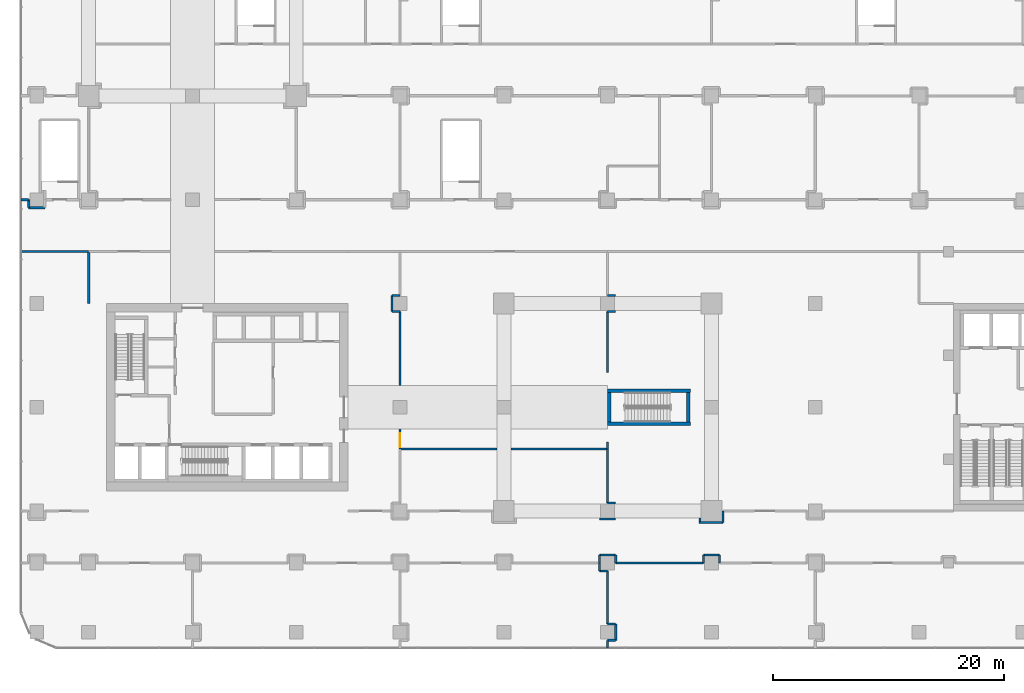
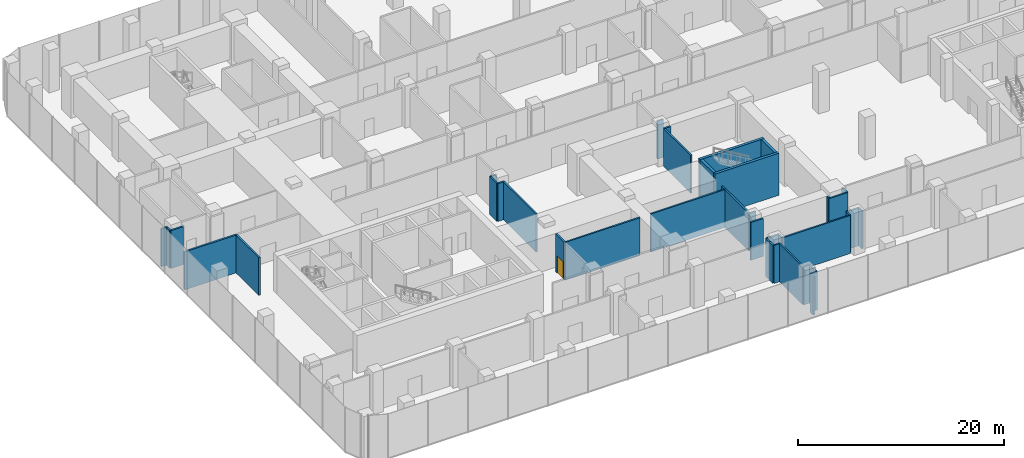
# One storey, part 25 of 36: 40 walls, 1 door, 1 opening.
"""IFC4 building model written with IfcOpenShell, lengths in metres."""

from ifc_helpers import new_model, si_unit, direction, frame, frame_2d, origin, place, context, subcontext, project, spatial, rectangle, extrude, material, layer, layer_set, type_object, element, fill, save


model = new_model("IFC4")

# Units and contexts
model_context = context("Model", 3, precision=1e-05, world=origin(), true_north=direction((0.0, 1.0)))
body_context = subcontext(model_context, "Body", "Model", "MODEL_VIEW")
ifc_project = project(units=[si_unit("LENGTHUNIT", "METRE"), si_unit("AREAUNIT", "SQUARE_METRE"), si_unit("VOLUMEUNIT", "CUBIC_METRE"), si_unit("PLANEANGLEUNIT", "RADIAN"), si_unit("MASSUNIT", "GRAM", prefix="KILO")], contexts=[model_context])

# Site, building, storey
site_placement = place(None, origin())
site = spatial("IfcSite", under=ifc_project, at=site_placement, CompositionType="ELEMENT")
building_placement = place(site_placement, origin())
building = spatial("IfcBuilding", under=site, at=building_placement, Name="Plateau Cross Towers", CompositionType="ELEMENT")
storey_placement = place(building_placement, frame((0.0, 0.0, 21.800048828125)))
storey = spatial("IfcBuildingStorey", under=building, at=storey_placement, Name="L04", CompositionType="ELEMENT", Elevation=21.800048828125)

# Walls
ifc_material_1 = material(Name="Dense masonry block, plastered, acoustic lining", Category="masonry")
ifc_layer_1 = layer(ifc_material_1, 0.179931640625)
ifc_layer_set_1 = layer_set([ifc_layer_1], Name="Dense masonry block, plastered, acoustic lining")
wall_type_1 = type_object("IfcWallType", Name="Plant room acoustic wall 180", PredefinedType="PARTITIONING", material=ifc_layer_set_1)
wall_1_placement = place(storey_placement, frame((53.0, -0.60009765625, 0.0), z_axis=(0.0, 0.0, 1.0), x_axis=(0.0, -1.0, 0.0)))
element("IfcWall", 1, at=wall_1_placement, inside=storey, type_object=wall_type_1, Name="Partition wall", PredefinedType="PARTITIONING", context=body_context, shape_type="SweptSolid", body=[
    extrude(rectangle(XDim=0.309814453125, YDim=0.179931640625, at=frame_2d((0.15478515625, 0.0))), origin(), (0.0, 0.0, 1.0), 4.5),
])
wall_2_placement = place(storey_placement, frame((52.909912109375, -1.0, 0.0), z_axis=(0.0, 0.0, 1.0), x_axis=(1.0, 0.0, 0.0)))
element("IfcWall", 2, at=wall_2_placement, inside=storey, type_object=wall_type_1, Name="Partition wall", PredefinedType="PARTITIONING", context=body_context, shape_type="SweptSolid", body=[
    extrude(rectangle(XDim=2.090087890625, YDim=0.179931640625, at=frame_2d((1.044921875, 0.0))), origin(), (0.0, 0.0, 1.0), 4.5),
])
wall_3_placement = place(storey_placement, frame((55.0, -1.0, 0.0), z_axis=(0.0, 0.0, 1.0), x_axis=(0.0, 1.0, 0.0)))
element("IfcWall", 3, at=wall_3_placement, inside=storey, type_object=wall_type_1, Name="Partition wall", PredefinedType="PARTITIONING", context=body_context, shape_type="SweptSolid", body=[
    extrude(rectangle(XDim=1.0, YDim=0.179931640625, at=frame_2d((0.5, 0.0))), origin(), (0.0, 0.0, 1.0), 4.5),
])
wall_4_placement = place(storey_placement, frame((44.300048828125, -0.699951171875, 0.0), z_axis=(0.0, 0.0, 1.0), x_axis=(1.0, 0.0, 0.0)))
element("IfcWall", 4, at=wall_4_placement, inside=storey, type_object=wall_type_1, Name="Partition wall", PredefinedType="PARTITIONING", context=body_context, shape_type="SweptSolid", body=[
    extrude(rectangle(XDim=1.39990234375, YDim=0.179931640625, at=frame_2d((0.699951171875, 0.0))), origin(), (0.0, 0.0, 1.0), 4.5),
])
wall_5_placement = place(storey_placement, frame((54.699951171875, -4.5, 0.0), z_axis=(0.0, 0.0, 1.0), x_axis=(0.0, 1.0, 0.0)))
element("IfcWall", 5, at=wall_5_placement, inside=storey, type_object=wall_type_1, Name="Partition wall", PredefinedType="PARTITIONING", context=body_context, shape_type="SweptSolid", body=[
    extrude(rectangle(XDim=0.699951171875, YDim=0.179931640625, at=frame_2d((0.35009765625, 0.0))), origin(), (0.0, 0.0, 1.0), 4.5),
])
wall_6_placement = place(storey_placement, frame((54.699951171875, -3.800048828125, 0.0), z_axis=(0.0, 0.0, 1.0), x_axis=(-1.0, 0.0, 0.0)))
element("IfcWall", 6, at=wall_6_placement, inside=storey, type_object=wall_type_1, Name="Partition wall", PredefinedType="PARTITIONING", context=body_context, shape_type="SweptSolid", body=[
    extrude(rectangle(XDim=1.39990234375, YDim=0.179931640625, at=frame_2d((0.699951171875, 0.0))), origin(), (0.0, 0.0, 1.0), 4.5),
])
wall_7_placement = place(storey_placement, frame((53.300048828125, -3.800048828125, 0.0), z_axis=(0.0, 0.0, 1.0), x_axis=(0.0, -1.0, 0.0)))
element("IfcWall", 7, at=wall_7_placement, inside=storey, type_object=wall_type_1, Name="Partition wall", PredefinedType="PARTITIONING", context=body_context, shape_type="SweptSolid", body=[
    extrude(rectangle(XDim=0.699951171875, YDim=0.179931640625, at=frame_2d((0.35009765625, 0.0))), origin(), (0.0, 0.0, 1.0), 4.5),
])
wall_8_placement = place(storey_placement, frame((53.300048828125, -4.5, 0.0), z_axis=(0.0, 0.0, 1.0), x_axis=(-1.0, 0.0, 0.0)))
element("IfcWall", 8, at=wall_8_placement, inside=storey, type_object=wall_type_1, Name="Partition wall", PredefinedType="PARTITIONING", context=body_context, shape_type="SweptSolid", body=[
    extrude(rectangle(XDim=7.60009765625, YDim=0.179931640625, at=frame_2d((3.800048828125, 0.0))), origin(), (0.0, 0.0, 1.0), 4.5),
])
wall_9_placement = place(storey_placement, frame((45.699951171875, -4.5, 0.0), z_axis=(0.0, 0.0, 1.0), x_axis=(0.0, 1.0, 0.0)))
element("IfcWall", 9, at=wall_9_placement, inside=storey, type_object=wall_type_1, Name="Partition wall", PredefinedType="PARTITIONING", context=body_context, shape_type="SweptSolid", body=[
    extrude(rectangle(XDim=0.699951171875, YDim=0.179931640625, at=frame_2d((0.35009765625, 0.0))), origin(), (0.0, 0.0, 1.0), 4.5),
])
wall_10_placement = place(storey_placement, frame((45.699951171875, -3.800048828125, 0.0), z_axis=(0.0, 0.0, 1.0), x_axis=(-1.0, 0.0, 0.0)))
element("IfcWall", 10, at=wall_10_placement, inside=storey, type_object=wall_type_1, Name="Partition wall", PredefinedType="PARTITIONING", context=body_context, shape_type="SweptSolid", body=[
    extrude(rectangle(XDim=1.39990234375, YDim=0.179931640625, at=frame_2d((0.699951171875, 0.0))), origin(), (0.0, 0.0, 1.0), 4.5),
])
wall_11_placement = place(storey_placement, frame((44.300048828125, -3.800048828125, 0.0), z_axis=(0.0, 0.0, 1.0), x_axis=(0.0, -1.0, 0.0)))
element("IfcWall", 11, at=wall_11_placement, inside=storey, type_object=wall_type_1, Name="Partition wall", PredefinedType="PARTITIONING", context=body_context, shape_type="SweptSolid", body=[
    extrude(rectangle(XDim=0.699951171875, YDim=0.179931640625, at=frame_2d((0.35009765625, 0.0))), origin(), (0.0, 0.0, 1.0), 4.5),
])
for number, where, z_axis, x_axis, name in (
    (12, (35.39990234375, 5.39990234375, 0.0), (0.0, 0.0, 1.0), (-1.0, 0.0, 0.0), "Partition wall"),
    (13, (45.0, 5.39990234375, 0.0), (0.0, 0.0, 1.0), (-1.0, 0.0, 0.0), "Partition wall"),
):
    element("IfcWall", number, at=place(storey_placement, frame(where, z_axis=z_axis, x_axis=x_axis)), inside=storey, type_object=wall_type_1, Name=name, PredefinedType="PARTITIONING", context=body_context, shape_type="SweptSolid", body=[
        extrude(rectangle(XDim=8.39990234375, YDim=0.179931640625, at=frame_2d((4.199951171875, 0.0))), origin(), (0.0, 0.0, 1.0), 4.5),
    ])
wall_12_placement = place(storey_placement, frame((27.0, 18.699951171875, 0.0), z_axis=(0.0, 0.0, 1.0), x_axis=(-1.0, 0.0, 0.0)))
element("IfcWall", 14, at=wall_12_placement, inside=storey, type_object=wall_type_1, Name="Partition wall", PredefinedType="PARTITIONING", context=body_context, shape_type="SweptSolid", body=[
    extrude(rectangle(XDim=0.699951171875, YDim=0.179931640625, at=frame_2d((0.35009765625, 0.0))), origin(), (0.0, 0.0, 1.0), 4.5),
])
wall_13_placement = place(storey_placement, frame((26.300048828125, 18.699951171875, 0.0), z_axis=(0.0, 0.0, 1.0), x_axis=(0.0, -1.0, 0.0)))
element("IfcWall", 15, at=wall_13_placement, inside=storey, type_object=wall_type_1, Name="Partition wall", PredefinedType="PARTITIONING", context=body_context, shape_type="SweptSolid", body=[
    extrude(rectangle(XDim=1.39990234375, YDim=0.179931640625, at=frame_2d((0.699951171875, 0.0))), origin(), (0.0, 0.0, 1.0), 4.5),
])
wall_14_placement = place(storey_placement, frame((26.300048828125, 17.300048828125, 0.0), z_axis=(0.0, 0.0, 1.0), x_axis=(1.0, 0.0, 0.0)))
element("IfcWall", 16, at=wall_14_placement, inside=storey, type_object=wall_type_1, Name="Partition wall", PredefinedType="PARTITIONING", context=body_context, shape_type="SweptSolid", body=[
    extrude(rectangle(XDim=0.699951171875, YDim=0.179931640625, at=frame_2d((0.35009765625, 0.0))), origin(), (0.0, 0.0, 1.0), 4.5),
])
wall_15_placement = place(storey_placement, frame((27.0, 17.300048828125, 0.0), z_axis=(0.0, 0.0, 1.0), x_axis=(0.0, -1.0, 0.0)))
element("IfcWall", 17, at=wall_15_placement, inside=storey, type_object=wall_type_1, Name="Partition wall", PredefinedType="PARTITIONING", context=body_context, shape_type="SweptSolid", body=[
    extrude(rectangle(XDim=6.400146484375, YDim=0.179931640625, at=frame_2d((3.2001953125, 0.0))), origin(), (0.0, 0.0, 1.0), 4.5),
])
for number, where, z_axis, x_axis, name in (
    (18, (45.0, 18.699951171875, 0.0), (0.0, 0.0, 1.0), (1.0, 0.0, 0.0), "Partition wall"),
    (19, (45.699951171875, 17.300048828125, 0.0), (0.0, 0.0, 1.0), (-1.0, 0.0, 0.0), "Partition wall"),
):
    element("IfcWall", number, at=place(storey_placement, frame(where, z_axis=z_axis, x_axis=x_axis)), inside=storey, type_object=wall_type_1, Name=name, PredefinedType="PARTITIONING", context=body_context, shape_type="SweptSolid", body=[
        extrude(rectangle(XDim=0.699951171875, YDim=0.179931640625, at=frame_2d((0.35009765625, 0.0))), origin(), (0.0, 0.0, 1.0), 4.5),
    ])
wall_16_placement = place(storey_placement, frame((45.0, 17.300048828125, 0.0), z_axis=(0.0, 0.0, 1.0), x_axis=(0.0, -1.0, 0.0)))
element("IfcWall", 20, at=wall_16_placement, inside=storey, type_object=wall_type_1, Name="Partition wall", PredefinedType="PARTITIONING", context=body_context, shape_type="SweptSolid", body=[
    extrude(rectangle(XDim=5.300048828125, YDim=0.179931640625, at=frame_2d((2.64990234375, 0.0))), origin(), (0.0, 0.0, 1.0), 4.5),
])
for number, where, z_axis, x_axis, name in (
    (21, (44.300048828125, -4.5, 0.0), (0.0, 0.0, 1.0), (0.0, -1.0, 0.0), "Partition wall"),
    (22, (44.300048828125, -5.199951171875, 0.0), (0.0, 0.0, 1.0), (1.0, 0.0, 0.0), "Partition wall"),
):
    element("IfcWall", number, at=place(storey_placement, frame(where, z_axis=z_axis, x_axis=x_axis)), inside=storey, type_object=wall_type_1, Name=name, PredefinedType="PARTITIONING", context=body_context, shape_type="SweptSolid", body=[
        extrude(rectangle(XDim=0.699951171875, YDim=0.179931640625, at=frame_2d((0.35009765625, 0.0))), origin(), (0.0, 0.0, 1.0), 4.5),
    ])
wall_17_placement = place(storey_placement, frame((45.0, -5.199951171875, 0.0), z_axis=(0.0, 0.0, 1.0), x_axis=(0.0, -1.0, 0.0)))
element("IfcWall", 23, at=wall_17_placement, inside=storey, type_object=wall_type_1, Name="Partition wall", PredefinedType="PARTITIONING", context=body_context, shape_type="SweptSolid", body=[
    extrude(rectangle(XDim=4.60009765625, YDim=0.179931640625, at=frame_2d((2.300048828125, 0.0))), origin(), (0.0, 0.0, 1.0), 4.5),
])
wall_18_placement = place(storey_placement, frame((45.0, -9.800048828125, 0.0), z_axis=(0.0, 0.0, 1.0), x_axis=(1.0, 0.0, 0.0)))
element("IfcWall", 24, at=wall_18_placement, inside=storey, type_object=wall_type_1, Name="Partition wall", PredefinedType="PARTITIONING", context=body_context, shape_type="SweptSolid", body=[
    extrude(rectangle(XDim=0.699951171875, YDim=0.179931640625, at=frame_2d((0.35009765625, 0.0))), origin(), (0.0, 0.0, 1.0), 4.5),
])
wall_19_placement = place(storey_placement, frame((45.699951171875, -9.800048828125, 0.0), z_axis=(0.0, 0.0, 1.0), x_axis=(0.0, -1.0, 0.0)))
element("IfcWall", 25, at=wall_19_placement, inside=storey, type_object=wall_type_1, Name="Partition wall", PredefinedType="PARTITIONING", context=body_context, shape_type="SweptSolid", body=[
    extrude(rectangle(XDim=1.39990234375, YDim=0.179931640625, at=frame_2d((0.699951171875, 0.0))), origin(), (0.0, 0.0, 1.0), 4.5),
])
wall_20_placement = place(storey_placement, frame((45.699951171875, -11.199951171875, 0.0), z_axis=(0.0, 0.0, 1.0), x_axis=(-1.0, 0.0, 0.0)))
element("IfcWall", 26, at=wall_20_placement, inside=storey, type_object=wall_type_1, Name="Partition wall", PredefinedType="PARTITIONING", context=body_context, shape_type="SweptSolid", body=[
    extrude(rectangle(XDim=0.699951171875, YDim=0.179931640625, at=frame_2d((0.35009765625, 0.0))), origin(), (0.0, 0.0, 1.0), 4.5),
])
wall_21_placement = place(storey_placement, frame((45.0, -11.199951171875, 0.0), z_axis=(0.0, 0.0, 1.0), x_axis=(0.0, -1.0, 0.0)))
element("IfcWall", 27, at=wall_21_placement, inside=storey, type_object=wall_type_1, Name="Partition wall", PredefinedType="PARTITIONING", context=body_context, shape_type="SweptSolid", body=[
    extrude(rectangle(XDim=0.650146484375, YDim=0.179931640625, at=frame_2d((0.3251953125, 0.0))), origin(), (0.0, 0.0, 1.0), 4.5),
])
wall_22_placement = place(storey_placement, frame((45.0, 5.39990234375, 0.0), z_axis=(0.0, 0.0, 1.0), x_axis=(0.0, -1.0, 0.0)))
element("IfcWall", 28, at=wall_22_placement, inside=storey, type_object=wall_type_1, Name="Partition wall", PredefinedType="PARTITIONING", context=body_context, shape_type="SweptSolid", body=[
    extrude(rectangle(XDim=4.699951171875, YDim=0.179931640625, at=frame_2d((2.35009765625, 0.0))), origin(), (0.0, 0.0, 1.0), 4.5),
])
wall_23_placement = place(storey_placement, frame((45.0, 0.699951171875, 0.0), z_axis=(0.0, 0.0, 1.0), x_axis=(1.0, 0.0, 0.0)))
element("IfcWall", 29, at=wall_23_placement, inside=storey, type_object=wall_type_1, Name="Partition wall", PredefinedType="PARTITIONING", context=body_context, shape_type="SweptSolid", body=[
    extrude(rectangle(XDim=0.699951171875, YDim=0.179931640625, at=frame_2d((0.35009765625, 0.0))), origin(), (0.0, 0.0, 1.0), 4.5),
])
wall_24_placement = place(storey_placement, frame((45.0, 6.0, 0.0), z_axis=(0.0, 0.0, 1.0), x_axis=(0.0, -1.0, 0.0)))
element("IfcWall", 30, at=wall_24_placement, inside=storey, type_object=wall_type_1, Name="Partition wall", PredefinedType="PARTITIONING", context=body_context, shape_type="SweptSolid", body=[
    extrude(rectangle(XDim=0.60009765625, YDim=0.179931640625, at=frame_2d((0.300048828125, 0.0))), origin(), (0.0, 0.0, 1.0), 4.5),
])

# Wall, opening, door
ifc_material_2 = material(Name="Gypsum board on steel studs, two layers each side", Category="steel")
ifc_layer_2 = layer(ifc_material_2, 0.199951171875)
ifc_layer_set_2 = layer_set([ifc_layer_2], Name="Gypsum board on steel studs, two layers each side")
wall_type_2 = type_object("IfcWallType", Name="Podium compartment wall 200", PredefinedType="PARTITIONING", material=ifc_layer_set_2)
wall_25_placement = place(storey_placement, frame((27.0, 7.10009765625, 0.0), z_axis=(0.0, 0.0, 1.0), x_axis=(0.0, -1.0, 0.0)))
wall_25 = element("IfcWall", 31, at=wall_25_placement, inside=storey, type_object=wall_type_2, Name="Partition wall", PredefinedType="PARTITIONING", context=body_context, shape_type="SweptSolid", body=[
    extrude(rectangle(XDim=1.7001953125, YDim=0.199951171875, at=frame_2d((0.85009765625, 0.0))), origin(), (0.0, 0.0, 1.0), 4.5),
])
opening_placement = place(wall_25_placement, frame((0.35009765625, 0.0, 0.0)))
opening = element("IfcOpeningElement", 32, at=opening_placement, cuts=wall_25, Name="Opening 04-38", PredefinedType="OPENING", context=body_context, shape_type="SweptSolid", body=[
    extrude(rectangle(XDim=1.199951171875, YDim=2.10009765625, at=frame_2d((0.60009765625, 1.050048828125))), frame((0.0, 0.10986328125, 0.0), z_axis=(0.0, -1.0, 0.0), x_axis=(1.0, 0.0, 0.0)), (0.0, 0.0, 1.0), 0.219970703125),
])
ifc_material_3 = material(Name="Timber, fire-resisting leaf", Category="wood")
door_type = type_object("IfcDoorType", Name="Podium fire door 1200", OperationType="NOTDEFINED", PredefinedType="DOOR", material=ifc_material_3)
door_placement = place(opening_placement, origin())
door = element("IfcDoor", 33, at=door_placement, inside=storey, type_object=door_type, Name="Door 04-38", OperationType="SINGLE_SWING_LEFT", OverallHeight=2.10009765625, OverallWidth=1.199951171875, PredefinedType="DOOR", context=body_context, shape_type="SweptSolid", body=[
    extrude(rectangle(XDim=1.199951171875, YDim=2.10009765625, at=frame_2d((0.60009765625, 1.050048828125))), frame((0.0, 0.02490234375, 0.0), z_axis=(0.0, -1.0, 0.0), x_axis=(1.0, 0.0, 0.0)), (0.0, 0.0, 1.0), 0.050048828125),
])
fill(opening, door)

# Walls
ifc_material_4 = material(Name="Gypsum board on steel studs", Category="steel")
ifc_layer_3 = layer(ifc_material_4, 0.199951171875)
ifc_layer_set_3 = layer_set([ifc_layer_3], Name="Gypsum board on steel studs")
wall_type_3 = type_object("IfcWallType", Name="Podium partition 200", PredefinedType="PARTITIONING", material=ifc_layer_set_3)
wall_26_placement = place(storey_placement, frame((0.0, 22.5, 0.0), z_axis=(0.0, 0.0, 1.0), x_axis=(-1.0, 0.0, 0.0)))
element("IfcWall", 34, at=wall_26_placement, inside=storey, type_object=wall_type_3, Name="Partition wall", PredefinedType="PARTITIONING", context=body_context, shape_type="SweptSolid", body=[
    extrude(rectangle(XDim=5.85009765625, YDim=0.199951171875, at=frame_2d((2.925048828125, 0.0))), origin(), (0.0, 0.0, 1.0), 4.5),
])
wall_27_placement = place(storey_placement, frame((0.0, 18.0, 0.0), z_axis=(0.0, 0.0, 1.0), x_axis=(0.0, 1.0, 0.0)))
element("IfcWall", 35, at=wall_27_placement, inside=storey, type_object=wall_type_3, Name="Partition wall", PredefinedType="PARTITIONING", context=body_context, shape_type="SweptSolid", body=[
    extrude(rectangle(XDim=4.39990234375, YDim=0.199951171875, at=frame_2d((2.199951171875, 0.0))), origin(), (0.0, 0.0, 1.0), 4.5),
])
wall_28_placement = place(storey_placement, frame((-5.85009765625, 27.0, 0.0), z_axis=(0.0, 0.0, 1.0), x_axis=(1.0, 0.0, 0.0)))
element("IfcWall", 36, at=wall_28_placement, inside=storey, type_object=wall_type_3, Name="Partition wall", PredefinedType="PARTITIONING", context=body_context, shape_type="SweptSolid", body=[
    extrude(rectangle(XDim=0.650146484375, YDim=0.199951171875, at=frame_2d((0.3251953125, 0.0))), origin(), (0.0, 0.0, 1.0), 4.5),
])
wall_29_placement = place(storey_placement, frame((-5.199951171875, 27.0, 0.0), z_axis=(0.0, 0.0, 1.0), x_axis=(0.0, -1.0, 0.0)))
element("IfcWall", 37, at=wall_29_placement, inside=storey, type_object=wall_type_3, Name="Partition wall", PredefinedType="PARTITIONING", context=body_context, shape_type="SweptSolid", body=[
    extrude(rectangle(XDim=0.699951171875, YDim=0.199951171875, at=frame_2d((0.35009765625, 0.0))), origin(), (0.0, 0.0, 1.0), 4.5),
])
wall_30_placement = place(storey_placement, frame((-5.199951171875, 26.300048828125, 0.0), z_axis=(0.0, 0.0, 1.0), x_axis=(1.0, 0.0, 0.0)))
element("IfcWall", 38, at=wall_30_placement, inside=storey, type_object=wall_type_3, Name="Partition wall", PredefinedType="PARTITIONING", context=body_context, shape_type="SweptSolid", body=[
    extrude(rectangle(XDim=1.39990234375, YDim=0.199951171875, at=frame_2d((0.699951171875, 0.0))), origin(), (0.0, 0.0, 1.0), 4.5),
])
ifc_material_5 = material(Name="Concrete C60/75", Category="concrete")
ifc_layer_4 = layer(ifc_material_5, 0.300048828125)
ifc_layer_set_4 = layer_set([ifc_layer_4], Name="Concrete C60/75")
wall_type_4 = type_object("IfcWallType", Name="Stair tower wall 300", PredefinedType="SHEAR", material=ifc_layer_set_4)
for number, where, z_axis, x_axis, name in (
    (39, (45.14990234375, 7.72509765625, 0.0), (0.0, 0.0, 1.0), (0.0, 1.0, 0.0), "A-end-E-W@L04"),
    (40, (52.0, 7.72509765625, 0.0), (0.0, 0.0, 1.0), (0.0, 1.0, 0.0), "A-end-E-E@L04"),
):
    element("IfcWall", number, at=place(storey_placement, frame(where, z_axis=z_axis, x_axis=x_axis)), inside=storey, type_object=wall_type_4, Name=name, PredefinedType="SHEAR", context=body_context, shape_type="SweptSolid", body=[
        extrude(rectangle(XDim=2.5498046875, YDim=0.300048828125, at=frame_2d((1.27490234375, 0.0))), origin(), (0.0, 0.0, 1.0), 5.0),
    ])
for number, where, z_axis, x_axis, name in (
    (41, (45.0, 7.574951171875, 0.0), (0.0, 0.0, 1.0), (1.0, 0.0, 0.0), "A-end-E-S@L04"),
    (42, (45.0, 10.425048828125, 0.0), (0.0, 0.0, 1.0), (1.0, 0.0, 0.0), "A-end-E-N@L04"),
):
    element("IfcWall", number, at=place(storey_placement, frame(where, z_axis=z_axis, x_axis=x_axis)), inside=storey, type_object=wall_type_4, Name=name, PredefinedType="SHEAR", context=body_context, shape_type="SweptSolid", body=[
        extrude(rectangle(XDim=7.199951171875, YDim=0.300048828125, at=frame_2d((3.60009765625, 0.0))), origin(), (0.0, 0.0, 1.0), 5.0),
    ])

save(model, "model.ifc")
